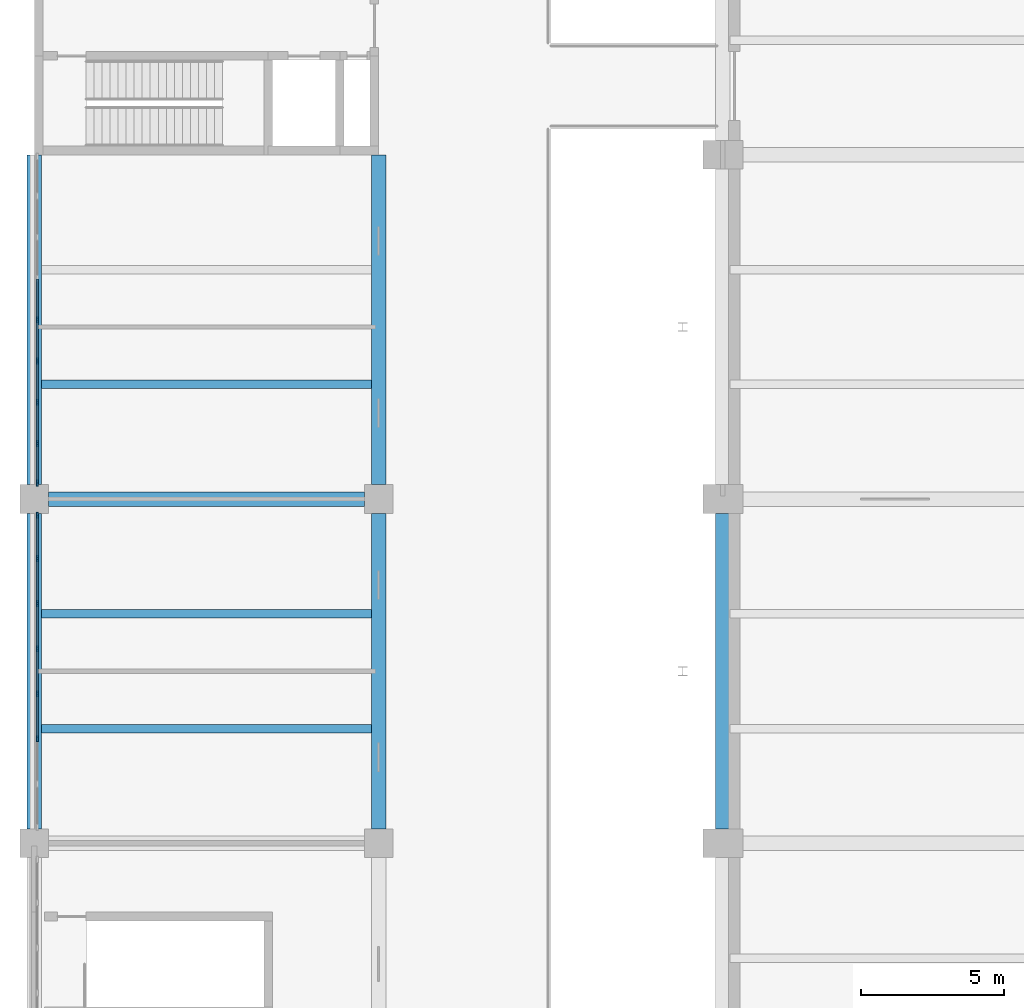
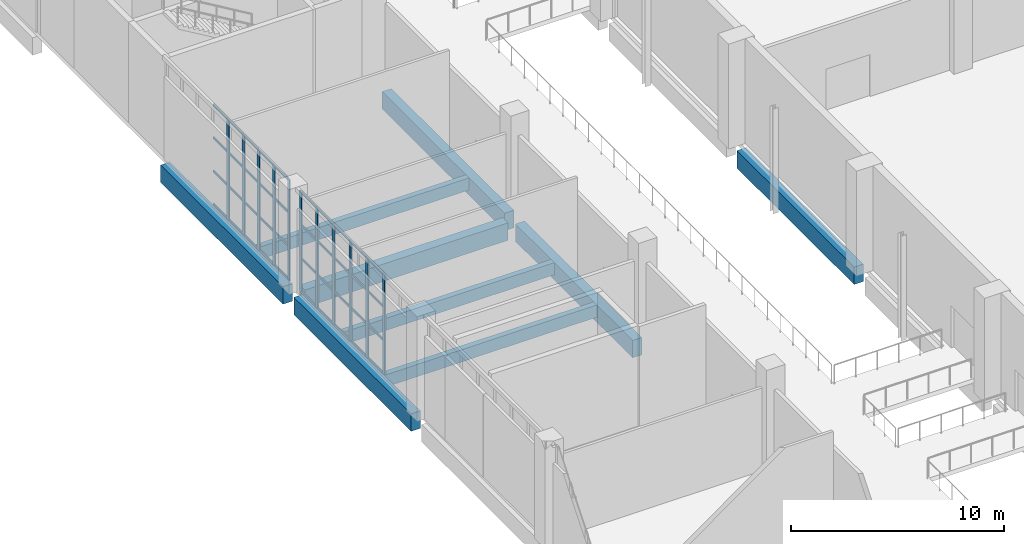
# One storey, part 30 of 72: 51 members, 9 beams, 2 elements without a shape of their own.
"""IFC4 building model written with IfcOpenShell, lengths in metres."""

import ifcopenshell
import ifcopenshell.guid

model = None  # the IFC model being written
_history = None  # IfcOwnerHistory: only IFC2X3 demands one
_inside = {}  # id of a spatial element -> (the spatial element, [elements in it])
_under = {}  # id of a project, library or spatial element -> (it, [spatial elements below it])
_declared = {}  # id of a project -> (the project, [libraries it declares])
_typed = {}  # id of a type object -> (the type object, [elements of that type])
_made_of = {}  # id of a material, layer set ... -> (it, [elements and type objects made of it])


def new_model(schema):
    """Start an empty IFC model of exactly this schema.

    Asked for "IFC4X3", IfcOpenShell would pick the latest addendum, in which some entities
    have other attributes; the version numbers below select the first issue.
    IFC2X3 requires an IfcOwnerHistory on every rooted entity: one is made here for all.
    """
    global model, _history
    if schema == "IFC4X3":
        model = ifcopenshell.file(schema_version=(4, 3, 0, 0))
    else:
        model = ifcopenshell.file(schema=schema)
    _inside.clear()
    _under.clear()
    _declared.clear()
    _typed.clear()
    _made_of.clear()
    _history = None
    if model.schema == "IFC2X3":
        org = make("IfcOrganization", Name="unknown")
        user = make(
            "IfcPersonAndOrganization",
            ThePerson=make("IfcPerson", FamilyName="unknown"),
            TheOrganization=org,
        )
        app = make(
            "IfcApplication",
            ApplicationDeveloper=org,
            Version="unknown",
            ApplicationFullName="unknown",
            ApplicationIdentifier="unknown",
        )
        _history = make(
            "IfcOwnerHistory",
            OwningUser=user,
            OwningApplication=app,
            ChangeAction="ADDED",
            CreationDate=0,
        )
    return model


def make(cls, **values):
    """One entity of the class cls with the attributes given. An attribute that is None is left unset."""
    return model.create_entity(
        cls, **{name: value for name, value in values.items() if value is not None}
    )


def rooted(cls, **values):
    """An entity with a GlobalId (a new one), such as an element, a storey or a relation."""
    return make(cls, GlobalId=ifcopenshell.guid.new(), OwnerHistory=_history, **values)


def si_unit(unit_type, name, prefix=None):
    """IfcSIUnit, for example si_unit("LENGTHUNIT", "METRE", prefix="MILLI")."""
    return make("IfcSIUnit", UnitType=unit_type, Prefix=prefix, Name=name)


def assignment(units):
    """IfcUnitAssignment: the units of a project."""
    return None if units is None else make("IfcUnitAssignment", Units=units)


def point(xyz):
    """IfcCartesianPoint."""
    return None if xyz is None else make("IfcCartesianPoint", Coordinates=xyz)


def direction(xyz):
    """IfcDirection."""
    return None if xyz is None else make("IfcDirection", DirectionRatios=xyz)


def frame(location, z_axis=None, x_axis=None):
    """IfcAxis2Placement3D, a coordinate frame: its origin and axes. An axis left out is left unset."""
    return make(
        "IfcAxis2Placement3D",
        Location=point(location),
        Axis=direction(z_axis),
        RefDirection=direction(x_axis),
    )


def frame_2d(location, x_axis=None):
    """IfcAxis2Placement2D, a coordinate frame in the plane: its origin and x axis."""
    return make(
        "IfcAxis2Placement2D", Location=point(location), RefDirection=direction(x_axis)
    )


def origin():
    """The frame at (0, 0, 0) with its axes left unset."""
    return frame((0.0, 0.0, 0.0))


def origin_2d():
    """The frame at (0, 0) in the plane with its x axis left unset."""
    return frame_2d((0.0, 0.0))


def place(relative_to, where):
    """IfcLocalPlacement: puts the frame where relative to a parent placement (None: the world)."""
    return make(
        "IfcLocalPlacement", PlacementRelTo=relative_to, RelativePlacement=where
    )


def context(
    kind, dimensions, precision=None, world=None, true_north=None, identifier=None
):
    """IfcGeometricRepresentationContext, for example the 3D "Model" context."""
    return make(
        "IfcGeometricRepresentationContext",
        ContextIdentifier=identifier,
        ContextType=kind,
        CoordinateSpaceDimension=dimensions,
        Precision=precision,
        WorldCoordinateSystem=world,
        TrueNorth=true_north,
    )


def subcontext(parent, identifier, kind, view, scale=None):
    """IfcGeometricRepresentationSubContext, for example "Body" below "Model"."""
    return make(
        "IfcGeometricRepresentationSubContext",
        ContextIdentifier=identifier,
        ContextType=kind,
        ParentContext=parent,
        TargetScale=scale,
        TargetView=view,
    )


def project(units=None, contexts=None):
    """IfcProject with its units and contexts."""
    return rooted(
        "IfcProject",
        Name="project",
        RepresentationContexts=contexts,
        UnitsInContext=assignment(units),
    )


def spatial(cls, under=None, at=None, **own):
    """A site, building, storey or space (cls), placed at a placement, below another one or the project."""
    s = rooted(cls, ObjectPlacement=at, **own)
    if under is not None:
        _under.setdefault(under.id(), (under, []))[1].append(s)
    return s


def profile(cls, at=None, kind="AREA", **sizes):
    """A parametric profile (cls). Its sizes go by their IFC names, for example OverallWidth=200.0."""
    return make(cls, ProfileType=kind, Position=at, **sizes)


def rectangle(**sizes):
    """IfcRectangleProfileDef."""
    return profile("IfcRectangleProfileDef", **sizes)


def extrude(swept, where, along, depth):
    """IfcExtrudedAreaSolid: the profile swept, set in the frame where, extruded along a direction by depth."""
    return make(
        "IfcExtrudedAreaSolid",
        SweptArea=swept,
        Position=where,
        ExtrudedDirection=direction(along),
        Depth=depth,
    )


def shape(context_of_items, identifier, shape_type, items):
    """IfcShapeRepresentation: the items that make up one representation, for example the "Body"."""
    return make(
        "IfcShapeRepresentation",
        ContextOfItems=context_of_items,
        RepresentationIdentifier=identifier,
        RepresentationType=shape_type,
        Items=items,
    )


def material(Name=None, Category=None):
    """IfcMaterial."""
    return make("IfcMaterial", Name=Name, Category=Category)


def layer(
    of_material, thickness, ventilated=None, Name=None, Category=None, Priority=None
):
    """IfcMaterialLayer: one layer of a wall or slab, of a material (None: an air gap)."""
    return make(
        "IfcMaterialLayer",
        Material=of_material,
        LayerThickness=thickness,
        IsVentilated=ventilated,
        Name=Name,
        Category=Category,
        Priority=Priority,
    )


def layer_set(layers, Name=None):
    """IfcMaterialLayerSet."""
    return make("IfcMaterialLayerSet", MaterialLayers=layers, LayerSetName=Name)


def material_profile(
    of_material, cross_section, Name=None, Category=None, Priority=None
):
    """IfcMaterialProfile: a cross section and its material."""
    return make(
        "IfcMaterialProfile",
        Name=Name,
        Material=of_material,
        Profile=cross_section,
        Priority=Priority,
        Category=Category,
    )


def profile_set(profiles, Name=None, composite=None):
    """IfcMaterialProfileSet."""
    return make(
        "IfcMaterialProfileSet",
        Name=Name,
        MaterialProfiles=profiles,
        CompositeProfile=composite,
    )


def made_of(thing, what):
    """Note that an element or type object is made of a material, layer set ...; save() writes the relation."""
    if what is not None:
        _made_of.setdefault(what.id(), (what, []))[1].append(thing)
    return thing


def type_object(cls, material=None, **own):
    """A type object (cls), such as IfcWallType, which elements share."""
    return made_of(rooted(cls, **own), material)


def element(
    cls,
    number,
    at=None,
    inside=None,
    cuts=None,
    type_object=None,
    material=None,
    context=None,
    identifier="Body",
    shape_type=None,
    held_by="IfcProductDefinitionShape",
    body=None,
    shapes=None,
    **own,
):
    """One element of the class cls, such as IfcWall. Its Tag is "e" and its number.

    at: its placement. inside: the storey or other place that contains it. cuts: it is an
    opening in that element (IfcRelVoidsElement). A single representation is given by context,
    identifier, shape_type and body (its items); several are given by shapes. held_by: the class
    of the entity that holds the representations. save() writes the other relations.
    """
    e = rooted(cls, Tag="e%d" % number, ObjectPlacement=at, **own)
    if body is not None:
        shapes = [shape(context, identifier, shape_type, body)]
    if shapes is not None:
        e.Representation = make(held_by, Representations=shapes)
    if inside is not None:
        _inside.setdefault(inside.id(), (inside, []))[1].append(e)
    if cuts is not None:
        rooted(
            "IfcRelVoidsElement", RelatingBuildingElement=cuts, RelatedOpeningElement=e
        )
    if type_object is not None:
        _typed.setdefault(type_object.id(), (type_object, []))[1].append(e)
    return made_of(e, material)


def aggregate(whole, parts):
    """IfcRelAggregates: a whole, such as a stair, and the parts it consists of."""
    return rooted("IfcRelAggregates", RelatingObject=whole, RelatedObjects=parts)


def save(model, path):
    """Write the relations noted so far, then the file.

    IfcRelAggregates (storeys below a building ...), IfcRelContainedInSpatialStructure (elements
    in a storey), IfcRelDefinesByType, IfcRelAssociatesMaterial and IfcRelDeclares: one each for
    every whole, place, type object, material and project.
    """
    for whole, parts in _under.values():
        aggregate(whole, parts)
    for where, things in _inside.values():
        rooted(
            "IfcRelContainedInSpatialStructure",
            RelatedElements=things,
            RelatingStructure=where,
        )
    for kind, things in _typed.values():
        rooted("IfcRelDefinesByType", RelatedObjects=things, RelatingType=kind)
    for what, things in _made_of.values():
        rooted("IfcRelAssociatesMaterial", RelatedObjects=things, RelatingMaterial=what)
    for by, libraries in _declared.values():
        rooted("IfcRelDeclares", RelatingContext=by, RelatedDefinitions=libraries)
    model.write(path)


model = new_model("IFC4")

# Units and contexts
model_context = context("Model", 3, precision=1e-05, world=origin(), true_north=direction((0.0, 1.0)))
body_context = subcontext(model_context, "Body", "Model", "MODEL_VIEW")
ifc_project = project(units=[si_unit("LENGTHUNIT", "METRE"), si_unit("AREAUNIT", "SQUARE_METRE"), si_unit("VOLUMEUNIT", "CUBIC_METRE"), si_unit("PLANEANGLEUNIT", "RADIAN"), si_unit("MASSUNIT", "GRAM", prefix="KILO")], contexts=[model_context])

# Site, building, storey
site_placement = place(None, origin())
site = spatial("IfcSite", under=ifc_project, at=site_placement, CompositionType="ELEMENT")
building_placement = place(site_placement, origin())
building = spatial("IfcBuilding", under=site, at=building_placement, Name="Lilac Gate Convention Centre", CompositionType="ELEMENT")
storey_placement = place(building_placement, frame((0.0, 0.0, 6.0)))
storey = spatial("IfcBuildingStorey", under=building, at=storey_placement, Name="L01", CompositionType="ELEMENT", Elevation=6.0)

# Curtain wall, members
ifc_material_1 = material(Name="Aluminium framed double glazing", Category="aluminium")
ifc_layer = layer(ifc_material_1, 0.199951171875)
ifc_layer_set = layer_set([ifc_layer], Name="Aluminium framed double glazing")
curtain_wall_type = type_object("IfcCurtainWallType", Name="Unitised curtain wall 1500", PredefinedType="NOTDEFINED", material=ifc_layer_set)
curtain_wall_1_placement = place(storey_placement, origin())
curtain_wall_1 = element("IfcCurtainWall", 1, at=curtain_wall_1_placement, inside=storey, type_object=curtain_wall_type, Name="Curtain wall PW L01 1", PredefinedType="NOTDEFINED")
ifc_material_2 = material(Name="Aluminium alloy 6063", Category="aluminium")
ifc_material_profile_1 = material_profile(ifc_material_2, rectangle(XDim=0.06005859375, YDim=0.219970703125, at=origin_2d()), Name="Curtain wall mullion 60 x 220")
ifc_profile_set_1 = profile_set([ifc_material_profile_1], Name="Aluminium alloy 6063")
member_type_1 = type_object("IfcMemberType", Name="Curtain wall mullion 60 x 220", PredefinedType="MULLION", material=ifc_profile_set_1)
member_1_placement = place(storey_placement, frame((6.10009765625, 204.25, 0.0), z_axis=(0.0, 0.0, 1.0), x_axis=(1.0, 0.0, 0.0)))
member_1 = element("IfcMember", 2, at=member_1_placement, type_object=member_type_1, Name="CW mullion 5", PredefinedType="MULLION", context=body_context, shape_type="SweptSolid", body=[
    extrude(rectangle(XDim=0.06005859375, YDim=0.219970703125, at=origin_2d()), origin(), (0.0, 0.0, 1.0), 5.75),
])
member_2_placement = place(storey_placement, frame((6.10009765625, 202.8125, 0.0), z_axis=(0.0, 0.0, 1.0), x_axis=(1.0, 0.0, 0.0)))
member_2 = element("IfcMember", 3, at=member_2_placement, type_object=member_type_1, Name="CW mullion 6", PredefinedType="MULLION", context=body_context, shape_type="SweptSolid", body=[
    extrude(rectangle(XDim=0.06005859375, YDim=0.219970703125, at=origin_2d()), origin(), (0.0, 0.0, 1.0), 5.75),
])
member_3_placement = place(storey_placement, frame((6.10009765625, 201.375, 0.0), z_axis=(0.0, 0.0, 1.0), x_axis=(1.0, 0.0, 0.0)))
member_3 = element("IfcMember", 4, at=member_3_placement, type_object=member_type_1, Name="CW mullion 7", PredefinedType="MULLION", context=body_context, shape_type="SweptSolid", body=[
    extrude(rectangle(XDim=0.06005859375, YDim=0.219970703125, at=origin_2d()), origin(), (0.0, 0.0, 1.0), 5.75),
])
member_4_placement = place(storey_placement, frame((6.10009765625, 199.9375, 0.0), z_axis=(0.0, 0.0, 1.0), x_axis=(1.0, 0.0, 0.0)))
member_4 = element("IfcMember", 5, at=member_4_placement, type_object=member_type_1, Name="CW mullion 8", PredefinedType="MULLION", context=body_context, shape_type="SweptSolid", body=[
    extrude(rectangle(XDim=0.06005859375, YDim=0.219970703125, at=origin_2d()), origin(), (0.0, 0.0, 1.0), 5.75),
])
member_5_placement = place(storey_placement, frame((6.10009765625, 198.56005859375, 0.0), z_axis=(0.0, 0.0, 1.0), x_axis=(1.0, 0.0, 0.0)))
member_5 = element("IfcMember", 6, at=member_5_placement, type_object=member_type_1, Name="CW mullion 9", PredefinedType="MULLION", context=body_context, shape_type="SweptSolid", body=[
    extrude(rectangle(XDim=0.06005859375, YDim=0.219970703125, at=origin_2d()), origin(), (0.0, 0.0, 1.0), 5.75),
])

curtain_wall_2_placement = place(storey_placement, origin())
curtain_wall_2 = element("IfcCurtainWall", 7, at=curtain_wall_2_placement, inside=storey, type_object=curtain_wall_type, Name="Curtain wall PW L01 2", PredefinedType="NOTDEFINED")
member_6_placement = place(storey_placement, frame((6.10009765625, 197.43994140625, 0.0), z_axis=(0.0, 0.0, 1.0), x_axis=(1.0, 0.0, 0.0)))
member_6 = element("IfcMember", 8, at=member_6_placement, type_object=member_type_1, Name="CW mullion 1", PredefinedType="MULLION", context=body_context, shape_type="SweptSolid", body=[
    extrude(rectangle(XDim=0.06005859375, YDim=0.219970703125, at=origin_2d()), origin(), (0.0, 0.0, 1.0), 5.75),
])
member_7_placement = place(storey_placement, frame((6.10009765625, 195.928466796875, 0.0), z_axis=(0.0, 0.0, 1.0), x_axis=(1.0, 0.0, 0.0)))
member_7 = element("IfcMember", 9, at=member_7_placement, type_object=member_type_1, Name="CW mullion 2", PredefinedType="MULLION", context=body_context, shape_type="SweptSolid", body=[
    extrude(rectangle(XDim=0.06005859375, YDim=0.219970703125, at=origin_2d()), origin(), (0.0, 0.0, 1.0), 5.75),
])
member_8_placement = place(storey_placement, frame((6.10009765625, 194.357177734375, 0.0), z_axis=(0.0, 0.0, 1.0), x_axis=(1.0, 0.0, 0.0)))
member_8 = element("IfcMember", 10, at=member_8_placement, type_object=member_type_1, Name="CW mullion 3", PredefinedType="MULLION", context=body_context, shape_type="SweptSolid", body=[
    extrude(rectangle(XDim=0.06005859375, YDim=0.219970703125, at=origin_2d()), origin(), (0.0, 0.0, 1.0), 5.75),
])
member_9_placement = place(storey_placement, frame((6.10009765625, 192.78564453125, 0.0), z_axis=(0.0, 0.0, 1.0), x_axis=(1.0, 0.0, 0.0)))
member_9 = element("IfcMember", 11, at=member_9_placement, type_object=member_type_1, Name="CW mullion 4", PredefinedType="MULLION", context=body_context, shape_type="SweptSolid", body=[
    extrude(rectangle(XDim=0.06005859375, YDim=0.219970703125, at=origin_2d()), origin(), (0.0, 0.0, 1.0), 5.75),
])
member_10_placement = place(storey_placement, frame((6.10009765625, 191.21435546875, 0.0), z_axis=(0.0, 0.0, 1.0), x_axis=(1.0, 0.0, 0.0)))
member_10 = element("IfcMember", 12, at=member_10_placement, type_object=member_type_1, Name="CW mullion 5", PredefinedType="MULLION", context=body_context, shape_type="SweptSolid", body=[
    extrude(rectangle(XDim=0.06005859375, YDim=0.219970703125, at=origin_2d()), origin(), (0.0, 0.0, 1.0), 5.75),
])
member_11_placement = place(storey_placement, frame((6.10009765625, 189.642822265625, 0.0), z_axis=(0.0, 0.0, 1.0), x_axis=(1.0, 0.0, 0.0)))
member_11 = element("IfcMember", 13, at=member_11_placement, type_object=member_type_1, Name="CW mullion 6", PredefinedType="MULLION", context=body_context, shape_type="SweptSolid", body=[
    extrude(rectangle(XDim=0.06005859375, YDim=0.219970703125, at=origin_2d()), origin(), (0.0, 0.0, 1.0), 5.75),
])

# Member
ifc_material_profile_2 = material_profile(ifc_material_2, rectangle(XDim=0.06005859375, YDim=0.1201171875, at=origin_2d()), Name="Curtain wall transom 60 x 120")
ifc_profile_set_2 = profile_set([ifc_material_profile_2], Name="Aluminium alloy 6063")
member_type_2 = type_object("IfcMemberType", Name="Curtain wall transom 60 x 120", PredefinedType="USERDEFINED", material=ifc_profile_set_2)
member_12_placement = place(storey_placement, frame((6.10009765625, 205.657470703125, 0.030029296875), z_axis=(0.0, -1.0, 0.0), x_axis=(1.0, 0.0, 0.0)))
member_12 = element("IfcMember", 14, at=member_12_placement, type_object=member_type_2, Name="CW transom 4.1", ObjectType="TRANSOM", PredefinedType="USERDEFINED", context=body_context, shape_type="SweptSolid", body=[
    extrude(rectangle(XDim=0.06005859375, YDim=0.1201171875, at=origin_2d()), origin(), (0.0, 0.0, 1.0), 1.37744140625),
])

member_13_placement = place(storey_placement, frame((6.10009765625, 205.657470703125, 1.916748046875), z_axis=(0.0, -1.0, 0.0), x_axis=(1.0, 0.0, 0.0)))
member_13 = element("IfcMember", 15, at=member_13_placement, type_object=member_type_2, Name="CW transom 4.2", ObjectType="TRANSOM", PredefinedType="USERDEFINED", context=body_context, shape_type="SweptSolid", body=[
    extrude(rectangle(XDim=0.06005859375, YDim=0.1201171875, at=origin_2d()), origin(), (0.0, 0.0, 1.0), 1.37744140625),
])

member_14_placement = place(storey_placement, frame((6.10009765625, 205.657470703125, 3.833251953125), z_axis=(0.0, -1.0, 0.0), x_axis=(1.0, 0.0, 0.0)))
member_14 = element("IfcMember", 16, at=member_14_placement, type_object=member_type_2, Name="CW transom 4.3", ObjectType="TRANSOM", PredefinedType="USERDEFINED", context=body_context, shape_type="SweptSolid", body=[
    extrude(rectangle(XDim=0.06005859375, YDim=0.1201171875, at=origin_2d()), origin(), (0.0, 0.0, 1.0), 1.37744140625),
])

member_15_placement = place(storey_placement, frame((6.10009765625, 205.657470703125, 5.719970703125), z_axis=(0.0, -1.0, 0.0), x_axis=(1.0, 0.0, 0.0)))
member_15 = element("IfcMember", 17, at=member_15_placement, type_object=member_type_2, Name="CW transom 4.4", ObjectType="TRANSOM", PredefinedType="USERDEFINED", context=body_context, shape_type="SweptSolid", body=[
    extrude(rectangle(XDim=0.06005859375, YDim=0.1201171875, at=origin_2d()), origin(), (0.0, 0.0, 1.0), 1.37744140625),
])

member_16_placement = place(storey_placement, frame((6.10009765625, 204.219970703125, 0.030029296875), z_axis=(0.0, -1.0, 0.0), x_axis=(1.0, 0.0, 0.0)))
member_16 = element("IfcMember", 18, at=member_16_placement, type_object=member_type_2, Name="CW transom 5.1", ObjectType="TRANSOM", PredefinedType="USERDEFINED", context=body_context, shape_type="SweptSolid", body=[
    extrude(rectangle(XDim=0.06005859375, YDim=0.1201171875, at=origin_2d()), origin(), (0.0, 0.0, 1.0), 1.37744140625),
])

member_17_placement = place(storey_placement, frame((6.10009765625, 204.219970703125, 1.916748046875), z_axis=(0.0, -1.0, 0.0), x_axis=(1.0, 0.0, 0.0)))
member_17 = element("IfcMember", 19, at=member_17_placement, type_object=member_type_2, Name="CW transom 5.2", ObjectType="TRANSOM", PredefinedType="USERDEFINED", context=body_context, shape_type="SweptSolid", body=[
    extrude(rectangle(XDim=0.06005859375, YDim=0.1201171875, at=origin_2d()), origin(), (0.0, 0.0, 1.0), 1.37744140625),
])

member_18_placement = place(storey_placement, frame((6.10009765625, 204.219970703125, 3.833251953125), z_axis=(0.0, -1.0, 0.0), x_axis=(1.0, 0.0, 0.0)))
member_18 = element("IfcMember", 20, at=member_18_placement, type_object=member_type_2, Name="CW transom 5.3", ObjectType="TRANSOM", PredefinedType="USERDEFINED", context=body_context, shape_type="SweptSolid", body=[
    extrude(rectangle(XDim=0.06005859375, YDim=0.1201171875, at=origin_2d()), origin(), (0.0, 0.0, 1.0), 1.37744140625),
])

member_19_placement = place(storey_placement, frame((6.10009765625, 204.219970703125, 5.719970703125), z_axis=(0.0, -1.0, 0.0), x_axis=(1.0, 0.0, 0.0)))
member_19 = element("IfcMember", 21, at=member_19_placement, type_object=member_type_2, Name="CW transom 5.4", ObjectType="TRANSOM", PredefinedType="USERDEFINED", context=body_context, shape_type="SweptSolid", body=[
    extrude(rectangle(XDim=0.06005859375, YDim=0.1201171875, at=origin_2d()), origin(), (0.0, 0.0, 1.0), 1.37744140625),
])

member_20_placement = place(storey_placement, frame((6.10009765625, 202.782470703125, 0.030029296875), z_axis=(0.0, -1.0, 0.0), x_axis=(1.0, 0.0, 0.0)))
member_20 = element("IfcMember", 22, at=member_20_placement, type_object=member_type_2, Name="CW transom 6.1", ObjectType="TRANSOM", PredefinedType="USERDEFINED", context=body_context, shape_type="SweptSolid", body=[
    extrude(rectangle(XDim=0.06005859375, YDim=0.1201171875, at=origin_2d()), origin(), (0.0, 0.0, 1.0), 1.37744140625),
])

member_21_placement = place(storey_placement, frame((6.10009765625, 202.782470703125, 1.916748046875), z_axis=(0.0, -1.0, 0.0), x_axis=(1.0, 0.0, 0.0)))
member_21 = element("IfcMember", 23, at=member_21_placement, type_object=member_type_2, Name="CW transom 6.2", ObjectType="TRANSOM", PredefinedType="USERDEFINED", context=body_context, shape_type="SweptSolid", body=[
    extrude(rectangle(XDim=0.06005859375, YDim=0.1201171875, at=origin_2d()), origin(), (0.0, 0.0, 1.0), 1.37744140625),
])

member_22_placement = place(storey_placement, frame((6.10009765625, 202.782470703125, 3.833251953125), z_axis=(0.0, -1.0, 0.0), x_axis=(1.0, 0.0, 0.0)))
member_22 = element("IfcMember", 24, at=member_22_placement, type_object=member_type_2, Name="CW transom 6.3", ObjectType="TRANSOM", PredefinedType="USERDEFINED", context=body_context, shape_type="SweptSolid", body=[
    extrude(rectangle(XDim=0.06005859375, YDim=0.1201171875, at=origin_2d()), origin(), (0.0, 0.0, 1.0), 1.37744140625),
])

member_23_placement = place(storey_placement, frame((6.10009765625, 202.782470703125, 5.719970703125), z_axis=(0.0, -1.0, 0.0), x_axis=(1.0, 0.0, 0.0)))
member_23 = element("IfcMember", 25, at=member_23_placement, type_object=member_type_2, Name="CW transom 6.4", ObjectType="TRANSOM", PredefinedType="USERDEFINED", context=body_context, shape_type="SweptSolid", body=[
    extrude(rectangle(XDim=0.06005859375, YDim=0.1201171875, at=origin_2d()), origin(), (0.0, 0.0, 1.0), 1.37744140625),
])

member_24_placement = place(storey_placement, frame((6.10009765625, 201.344970703125, 0.030029296875), z_axis=(0.0, -1.0, 0.0), x_axis=(1.0, 0.0, 0.0)))
member_24 = element("IfcMember", 26, at=member_24_placement, type_object=member_type_2, Name="CW transom 7.1", ObjectType="TRANSOM", PredefinedType="USERDEFINED", context=body_context, shape_type="SweptSolid", body=[
    extrude(rectangle(XDim=0.06005859375, YDim=0.1201171875, at=origin_2d()), origin(), (0.0, 0.0, 1.0), 1.37744140625),
])

member_25_placement = place(storey_placement, frame((6.10009765625, 201.344970703125, 1.916748046875), z_axis=(0.0, -1.0, 0.0), x_axis=(1.0, 0.0, 0.0)))
member_25 = element("IfcMember", 27, at=member_25_placement, type_object=member_type_2, Name="CW transom 7.2", ObjectType="TRANSOM", PredefinedType="USERDEFINED", context=body_context, shape_type="SweptSolid", body=[
    extrude(rectangle(XDim=0.06005859375, YDim=0.1201171875, at=origin_2d()), origin(), (0.0, 0.0, 1.0), 1.37744140625),
])

member_26_placement = place(storey_placement, frame((6.10009765625, 201.344970703125, 3.833251953125), z_axis=(0.0, -1.0, 0.0), x_axis=(1.0, 0.0, 0.0)))
member_26 = element("IfcMember", 28, at=member_26_placement, type_object=member_type_2, Name="CW transom 7.3", ObjectType="TRANSOM", PredefinedType="USERDEFINED", context=body_context, shape_type="SweptSolid", body=[
    extrude(rectangle(XDim=0.06005859375, YDim=0.1201171875, at=origin_2d()), origin(), (0.0, 0.0, 1.0), 1.37744140625),
])

member_27_placement = place(storey_placement, frame((6.10009765625, 201.344970703125, 5.719970703125), z_axis=(0.0, -1.0, 0.0), x_axis=(1.0, 0.0, 0.0)))
member_27 = element("IfcMember", 29, at=member_27_placement, type_object=member_type_2, Name="CW transom 7.4", ObjectType="TRANSOM", PredefinedType="USERDEFINED", context=body_context, shape_type="SweptSolid", body=[
    extrude(rectangle(XDim=0.06005859375, YDim=0.1201171875, at=origin_2d()), origin(), (0.0, 0.0, 1.0), 1.37744140625),
])

member_28_placement = place(storey_placement, frame((6.10009765625, 199.907470703125, 0.030029296875), z_axis=(0.0, -1.0, 0.0), x_axis=(1.0, 0.0, 0.0)))
member_28 = element("IfcMember", 30, at=member_28_placement, type_object=member_type_2, Name="CW transom 8.1", ObjectType="TRANSOM", PredefinedType="USERDEFINED", context=body_context, shape_type="SweptSolid", body=[
    extrude(rectangle(XDim=0.06005859375, YDim=0.1201171875, at=origin_2d()), origin(), (0.0, 0.0, 1.0), 1.347412109375),
])

member_29_placement = place(storey_placement, frame((6.10009765625, 199.907470703125, 1.916748046875), z_axis=(0.0, -1.0, 0.0), x_axis=(1.0, 0.0, 0.0)))
member_29 = element("IfcMember", 31, at=member_29_placement, type_object=member_type_2, Name="CW transom 8.2", ObjectType="TRANSOM", PredefinedType="USERDEFINED", context=body_context, shape_type="SweptSolid", body=[
    extrude(rectangle(XDim=0.06005859375, YDim=0.1201171875, at=origin_2d()), origin(), (0.0, 0.0, 1.0), 1.347412109375),
])

member_30_placement = place(storey_placement, frame((6.10009765625, 199.907470703125, 3.833251953125), z_axis=(0.0, -1.0, 0.0), x_axis=(1.0, 0.0, 0.0)))
member_30 = element("IfcMember", 32, at=member_30_placement, type_object=member_type_2, Name="CW transom 8.3", ObjectType="TRANSOM", PredefinedType="USERDEFINED", context=body_context, shape_type="SweptSolid", body=[
    extrude(rectangle(XDim=0.06005859375, YDim=0.1201171875, at=origin_2d()), origin(), (0.0, 0.0, 1.0), 1.347412109375),
])

member_31_placement = place(storey_placement, frame((6.10009765625, 199.907470703125, 5.719970703125), z_axis=(0.0, -1.0, 0.0), x_axis=(1.0, 0.0, 0.0)))
member_31 = element("IfcMember", 33, at=member_31_placement, type_object=member_type_2, Name="CW transom 8.4", ObjectType="TRANSOM", PredefinedType="USERDEFINED", context=body_context, shape_type="SweptSolid", body=[
    extrude(rectangle(XDim=0.06005859375, YDim=0.1201171875, at=origin_2d()), origin(), (0.0, 0.0, 1.0), 1.347412109375),
])

aggregate(curtain_wall_1, [member_1, member_2, member_3, member_4, member_5, member_12, member_13, member_14, member_15, member_16, member_17, member_18, member_19, member_20, member_21, member_22, member_23, member_24, member_25, member_26, member_27, member_28, member_29, member_30, member_31])

member_32_placement = place(storey_placement, frame((6.10009765625, 197.43994140625, 0.030029296875), z_axis=(0.0, -1.0, 0.0), x_axis=(1.0, 0.0, 0.0)))
member_32 = element("IfcMember", 34, at=member_32_placement, type_object=member_type_2, Name="CW transom 1.1", ObjectType="TRANSOM", PredefinedType="USERDEFINED", context=body_context, shape_type="SweptSolid", body=[
    extrude(rectangle(XDim=0.06005859375, YDim=0.1201171875, at=origin_2d()), origin(), (0.0, 0.0, 1.0), 1.4814453125),
])

member_33_placement = place(storey_placement, frame((6.10009765625, 197.43994140625, 1.916748046875), z_axis=(0.0, -1.0, 0.0), x_axis=(1.0, 0.0, 0.0)))
member_33 = element("IfcMember", 35, at=member_33_placement, type_object=member_type_2, Name="CW transom 1.2", ObjectType="TRANSOM", PredefinedType="USERDEFINED", context=body_context, shape_type="SweptSolid", body=[
    extrude(rectangle(XDim=0.06005859375, YDim=0.1201171875, at=origin_2d()), origin(), (0.0, 0.0, 1.0), 1.4814453125),
])

member_34_placement = place(storey_placement, frame((6.10009765625, 197.43994140625, 3.833251953125), z_axis=(0.0, -1.0, 0.0), x_axis=(1.0, 0.0, 0.0)))
member_34 = element("IfcMember", 36, at=member_34_placement, type_object=member_type_2, Name="CW transom 1.3", ObjectType="TRANSOM", PredefinedType="USERDEFINED", context=body_context, shape_type="SweptSolid", body=[
    extrude(rectangle(XDim=0.06005859375, YDim=0.1201171875, at=origin_2d()), origin(), (0.0, 0.0, 1.0), 1.4814453125),
])

member_35_placement = place(storey_placement, frame((6.10009765625, 197.43994140625, 5.719970703125), z_axis=(0.0, -1.0, 0.0), x_axis=(1.0, 0.0, 0.0)))
member_35 = element("IfcMember", 37, at=member_35_placement, type_object=member_type_2, Name="CW transom 1.4", ObjectType="TRANSOM", PredefinedType="USERDEFINED", context=body_context, shape_type="SweptSolid", body=[
    extrude(rectangle(XDim=0.06005859375, YDim=0.1201171875, at=origin_2d()), origin(), (0.0, 0.0, 1.0), 1.4814453125),
])

member_36_placement = place(storey_placement, frame((6.10009765625, 195.898681640625, 0.030029296875), z_axis=(0.0, -1.0, 0.0), x_axis=(1.0, 0.0, 0.0)))
member_36 = element("IfcMember", 38, at=member_36_placement, type_object=member_type_2, Name="CW transom 2.1", ObjectType="TRANSOM", PredefinedType="USERDEFINED", context=body_context, shape_type="SweptSolid", body=[
    extrude(rectangle(XDim=0.06005859375, YDim=0.1201171875, at=origin_2d()), origin(), (0.0, 0.0, 1.0), 1.511474609375),
])

member_37_placement = place(storey_placement, frame((6.10009765625, 195.898681640625, 1.916748046875), z_axis=(0.0, -1.0, 0.0), x_axis=(1.0, 0.0, 0.0)))
member_37 = element("IfcMember", 39, at=member_37_placement, type_object=member_type_2, Name="CW transom 2.2", ObjectType="TRANSOM", PredefinedType="USERDEFINED", context=body_context, shape_type="SweptSolid", body=[
    extrude(rectangle(XDim=0.06005859375, YDim=0.1201171875, at=origin_2d()), origin(), (0.0, 0.0, 1.0), 1.511474609375),
])

member_38_placement = place(storey_placement, frame((6.10009765625, 195.898681640625, 3.833251953125), z_axis=(0.0, -1.0, 0.0), x_axis=(1.0, 0.0, 0.0)))
member_38 = element("IfcMember", 40, at=member_38_placement, type_object=member_type_2, Name="CW transom 2.3", ObjectType="TRANSOM", PredefinedType="USERDEFINED", context=body_context, shape_type="SweptSolid", body=[
    extrude(rectangle(XDim=0.06005859375, YDim=0.1201171875, at=origin_2d()), origin(), (0.0, 0.0, 1.0), 1.511474609375),
])

member_39_placement = place(storey_placement, frame((6.10009765625, 195.898681640625, 5.719970703125), z_axis=(0.0, -1.0, 0.0), x_axis=(1.0, 0.0, 0.0)))
member_39 = element("IfcMember", 41, at=member_39_placement, type_object=member_type_2, Name="CW transom 2.4", ObjectType="TRANSOM", PredefinedType="USERDEFINED", context=body_context, shape_type="SweptSolid", body=[
    extrude(rectangle(XDim=0.06005859375, YDim=0.1201171875, at=origin_2d()), origin(), (0.0, 0.0, 1.0), 1.511474609375),
])

member_40_placement = place(storey_placement, frame((6.10009765625, 194.3271484375, 0.030029296875), z_axis=(0.0, -1.0, 0.0), x_axis=(1.0, 0.0, 0.0)))
member_40 = element("IfcMember", 42, at=member_40_placement, type_object=member_type_2, Name="CW transom 3.1", ObjectType="TRANSOM", PredefinedType="USERDEFINED", context=body_context, shape_type="SweptSolid", body=[
    extrude(rectangle(XDim=0.06005859375, YDim=0.1201171875, at=origin_2d()), origin(), (0.0, 0.0, 1.0), 1.511474609375),
])

member_41_placement = place(storey_placement, frame((6.10009765625, 194.3271484375, 1.916748046875), z_axis=(0.0, -1.0, 0.0), x_axis=(1.0, 0.0, 0.0)))
member_41 = element("IfcMember", 43, at=member_41_placement, type_object=member_type_2, Name="CW transom 3.2", ObjectType="TRANSOM", PredefinedType="USERDEFINED", context=body_context, shape_type="SweptSolid", body=[
    extrude(rectangle(XDim=0.06005859375, YDim=0.1201171875, at=origin_2d()), origin(), (0.0, 0.0, 1.0), 1.511474609375),
])

member_42_placement = place(storey_placement, frame((6.10009765625, 194.3271484375, 3.833251953125), z_axis=(0.0, -1.0, 0.0), x_axis=(1.0, 0.0, 0.0)))
member_42 = element("IfcMember", 44, at=member_42_placement, type_object=member_type_2, Name="CW transom 3.3", ObjectType="TRANSOM", PredefinedType="USERDEFINED", context=body_context, shape_type="SweptSolid", body=[
    extrude(rectangle(XDim=0.06005859375, YDim=0.1201171875, at=origin_2d()), origin(), (0.0, 0.0, 1.0), 1.511474609375),
])

member_43_placement = place(storey_placement, frame((6.10009765625, 194.3271484375, 5.719970703125), z_axis=(0.0, -1.0, 0.0), x_axis=(1.0, 0.0, 0.0)))
member_43 = element("IfcMember", 45, at=member_43_placement, type_object=member_type_2, Name="CW transom 3.4", ObjectType="TRANSOM", PredefinedType="USERDEFINED", context=body_context, shape_type="SweptSolid", body=[
    extrude(rectangle(XDim=0.06005859375, YDim=0.1201171875, at=origin_2d()), origin(), (0.0, 0.0, 1.0), 1.511474609375),
])

member_44_placement = place(storey_placement, frame((6.10009765625, 192.755615234375, 0.030029296875), z_axis=(0.0, -1.0, 0.0), x_axis=(1.0, 0.0, 0.0)))
member_44 = element("IfcMember", 46, at=member_44_placement, type_object=member_type_2, Name="CW transom 4.1", ObjectType="TRANSOM", PredefinedType="USERDEFINED", context=body_context, shape_type="SweptSolid", body=[
    extrude(rectangle(XDim=0.06005859375, YDim=0.1201171875, at=origin_2d()), origin(), (0.0, 0.0, 1.0), 1.51123046875),
])

member_45_placement = place(storey_placement, frame((6.10009765625, 192.755615234375, 1.916748046875), z_axis=(0.0, -1.0, 0.0), x_axis=(1.0, 0.0, 0.0)))
member_45 = element("IfcMember", 47, at=member_45_placement, type_object=member_type_2, Name="CW transom 4.2", ObjectType="TRANSOM", PredefinedType="USERDEFINED", context=body_context, shape_type="SweptSolid", body=[
    extrude(rectangle(XDim=0.06005859375, YDim=0.1201171875, at=origin_2d()), origin(), (0.0, 0.0, 1.0), 1.51123046875),
])

member_46_placement = place(storey_placement, frame((6.10009765625, 192.755615234375, 3.833251953125), z_axis=(0.0, -1.0, 0.0), x_axis=(1.0, 0.0, 0.0)))
member_46 = element("IfcMember", 48, at=member_46_placement, type_object=member_type_2, Name="CW transom 4.3", ObjectType="TRANSOM", PredefinedType="USERDEFINED", context=body_context, shape_type="SweptSolid", body=[
    extrude(rectangle(XDim=0.06005859375, YDim=0.1201171875, at=origin_2d()), origin(), (0.0, 0.0, 1.0), 1.51123046875),
])

member_47_placement = place(storey_placement, frame((6.10009765625, 192.755615234375, 5.719970703125), z_axis=(0.0, -1.0, 0.0), x_axis=(1.0, 0.0, 0.0)))
member_47 = element("IfcMember", 49, at=member_47_placement, type_object=member_type_2, Name="CW transom 4.4", ObjectType="TRANSOM", PredefinedType="USERDEFINED", context=body_context, shape_type="SweptSolid", body=[
    extrude(rectangle(XDim=0.06005859375, YDim=0.1201171875, at=origin_2d()), origin(), (0.0, 0.0, 1.0), 1.51123046875),
])

member_48_placement = place(storey_placement, frame((6.10009765625, 191.184326171875, 0.030029296875), z_axis=(0.0, -1.0, 0.0), x_axis=(1.0, 0.0, 0.0)))
member_48 = element("IfcMember", 50, at=member_48_placement, type_object=member_type_2, Name="CW transom 5.1", ObjectType="TRANSOM", PredefinedType="USERDEFINED", context=body_context, shape_type="SweptSolid", body=[
    extrude(rectangle(XDim=0.06005859375, YDim=0.1201171875, at=origin_2d()), origin(), (0.0, 0.0, 1.0), 1.511474609375),
])

member_49_placement = place(storey_placement, frame((6.10009765625, 191.184326171875, 1.916748046875), z_axis=(0.0, -1.0, 0.0), x_axis=(1.0, 0.0, 0.0)))
member_49 = element("IfcMember", 51, at=member_49_placement, type_object=member_type_2, Name="CW transom 5.2", ObjectType="TRANSOM", PredefinedType="USERDEFINED", context=body_context, shape_type="SweptSolid", body=[
    extrude(rectangle(XDim=0.06005859375, YDim=0.1201171875, at=origin_2d()), origin(), (0.0, 0.0, 1.0), 1.511474609375),
])

member_50_placement = place(storey_placement, frame((6.10009765625, 191.184326171875, 3.833251953125), z_axis=(0.0, -1.0, 0.0), x_axis=(1.0, 0.0, 0.0)))
member_50 = element("IfcMember", 52, at=member_50_placement, type_object=member_type_2, Name="CW transom 5.3", ObjectType="TRANSOM", PredefinedType="USERDEFINED", context=body_context, shape_type="SweptSolid", body=[
    extrude(rectangle(XDim=0.06005859375, YDim=0.1201171875, at=origin_2d()), origin(), (0.0, 0.0, 1.0), 1.511474609375),
])

member_51_placement = place(storey_placement, frame((6.10009765625, 191.184326171875, 5.719970703125), z_axis=(0.0, -1.0, 0.0), x_axis=(1.0, 0.0, 0.0)))
member_51 = element("IfcMember", 53, at=member_51_placement, type_object=member_type_2, Name="CW transom 5.4", ObjectType="TRANSOM", PredefinedType="USERDEFINED", context=body_context, shape_type="SweptSolid", body=[
    extrude(rectangle(XDim=0.06005859375, YDim=0.1201171875, at=origin_2d()), origin(), (0.0, 0.0, 1.0), 1.511474609375),
])

aggregate(curtain_wall_2, [member_6, member_7, member_8, member_9, member_10, member_11, member_32, member_33, member_34, member_35, member_36, member_37, member_38, member_39, member_40, member_41, member_42, member_43, member_44, member_45, member_46, member_47, member_48, member_49, member_50, member_51])

# Beams
ifc_material_3 = material(Name="Concrete C40", Category="concrete")
ifc_material_profile_3 = material_profile(ifc_material_3, rectangle(XDim=0.5, YDim=1.0, at=origin_2d()), Name="RC 500x1000")
ifc_profile_set_3 = profile_set([ifc_material_profile_3], Name="Concrete C40")
beam_type_1 = type_object("IfcBeamType", Name="Primary beam 500x1000 C40", PredefinedType="BEAM", material=ifc_profile_set_3)
for number, where, z_axis, x_axis, name in (
    (54, (6.5, 198.0, -0.75), (1.0, 0.0, 0.0), (0.0, 1.0, 0.0), "RB1 L01 1/Q-2/Q"),
    (55, (6.0, 186.5, -0.75), (0.0, 1.0, 0.0), (-1.0, 0.0, 0.0), "RB1 L01 1/P-1/Q"),
):
    element("IfcBeam", number, at=place(storey_placement, frame(where, z_axis=z_axis, x_axis=x_axis)), inside=storey, type_object=beam_type_1, Name=name, PredefinedType="BEAM", context=body_context, shape_type="SweptSolid", body=[
        extrude(rectangle(XDim=0.5, YDim=1.0, at=origin_2d()), origin(), (0.0, 0.0, 1.0), 11.0),
    ])
beam_1_placement = place(storey_placement, frame((6.0, 198.5, -0.75), z_axis=(0.0, 1.0, 0.0), x_axis=(-1.0, 0.0, 0.0)))
element("IfcBeam", 56, at=beam_1_placement, inside=storey, type_object=beam_type_1, Name="RB1 L01 1/Q-1/R", PredefinedType="BEAM", context=body_context, shape_type="SweptSolid", body=[
    extrude(rectangle(XDim=0.5, YDim=1.0, at=origin_2d()), origin(), (0.0, 0.0, 1.0), 11.5),
])
beam_2_placement = place(storey_placement, frame((18.0, 186.5, -0.75), z_axis=(0.0, 1.0, 0.0), x_axis=(-1.0, 0.0, 0.0)))
element("IfcBeam", 57, at=beam_2_placement, inside=storey, type_object=beam_type_1, Name="RB1 L01 2/P-2/Q", PredefinedType="BEAM", context=body_context, shape_type="SweptSolid", body=[
    extrude(rectangle(XDim=0.5, YDim=1.0, at=origin_2d()), origin(), (0.0, 0.0, 1.0), 11.0),
])
beam_3_placement = place(storey_placement, frame((18.0, 198.5, -0.75), z_axis=(0.0, 1.0, 0.0), x_axis=(-1.0, 0.0, 0.0)))
element("IfcBeam", 58, at=beam_3_placement, inside=storey, type_object=beam_type_1, Name="RB1 L01 2/Q-2/R", PredefinedType="BEAM", context=body_context, shape_type="SweptSolid", body=[
    extrude(rectangle(XDim=0.5, YDim=1.0, at=origin_2d()), origin(), (0.0, 0.0, 1.0), 11.5),
])
beam_4_placement = place(storey_placement, frame((30.0, 186.5, -0.75), z_axis=(0.0, 1.0, 0.0), x_axis=(-1.0, 0.0, 0.0)))
element("IfcBeam", 59, at=beam_4_placement, inside=storey, type_object=beam_type_1, Name="RB1 L01 3/P-3/Q", PredefinedType="BEAM", context=body_context, shape_type="SweptSolid", body=[
    extrude(rectangle(XDim=0.5, YDim=1.0, at=origin_2d()), origin(), (0.0, 0.0, 1.0), 11.0),
])
ifc_material_profile_4 = material_profile(ifc_material_3, rectangle(XDim=0.300048828125, YDim=0.699951171875, at=origin_2d()), Name="RC 300x700")
ifc_profile_set_4 = profile_set([ifc_material_profile_4], Name="Concrete C40")
beam_type_2 = type_object("IfcBeamType", Name="Secondary beam 300x700 C40", PredefinedType="BEAM", material=ifc_profile_set_4)
for number, where, z_axis, x_axis, name in (
    (60, (6.25, 190.0, -0.60009765625), (1.0, 0.0, 0.0), (0.0, 1.0, 0.0), "RB2 L01 bay 1/P"),
    (61, (6.25, 194.0, -0.60009765625), (1.0, 0.0, 0.0), (0.0, 1.0, 0.0), "RB2 L01 bay 1/P"),
    (62, (6.25, 202.0, -0.60009765625), (1.0, 0.0, 0.0), (0.0, 1.0, 0.0), "RB2 L01 bay 1/Q"),
):
    element("IfcBeam", number, at=place(storey_placement, frame(where, z_axis=z_axis, x_axis=x_axis)), inside=storey, type_object=beam_type_2, Name=name, PredefinedType="BEAM", context=body_context, shape_type="SweptSolid", body=[
        extrude(rectangle(XDim=0.300048828125, YDim=0.699951171875, at=origin_2d()), origin(), (0.0, 0.0, 1.0), 11.5),
    ])

save(model, "model.ifc")
